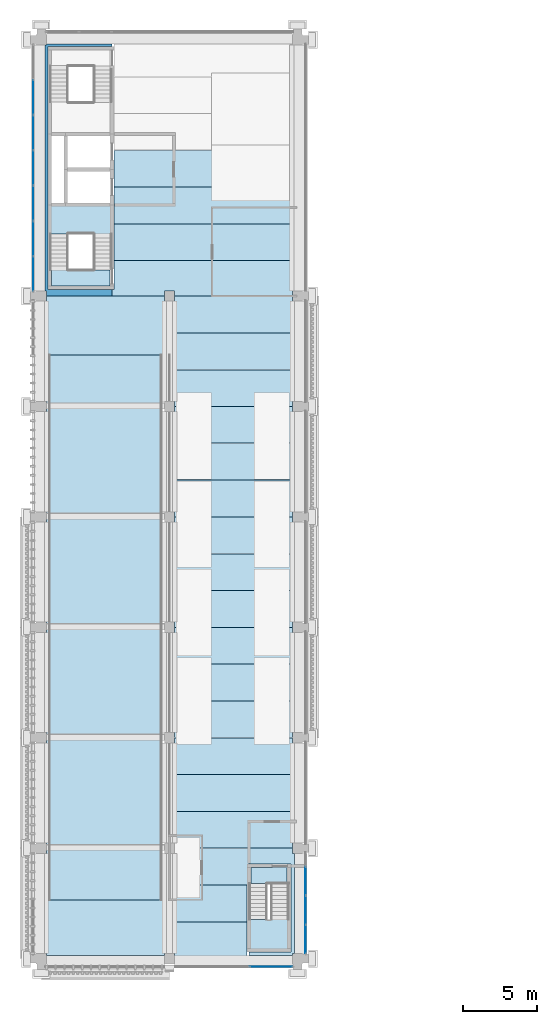
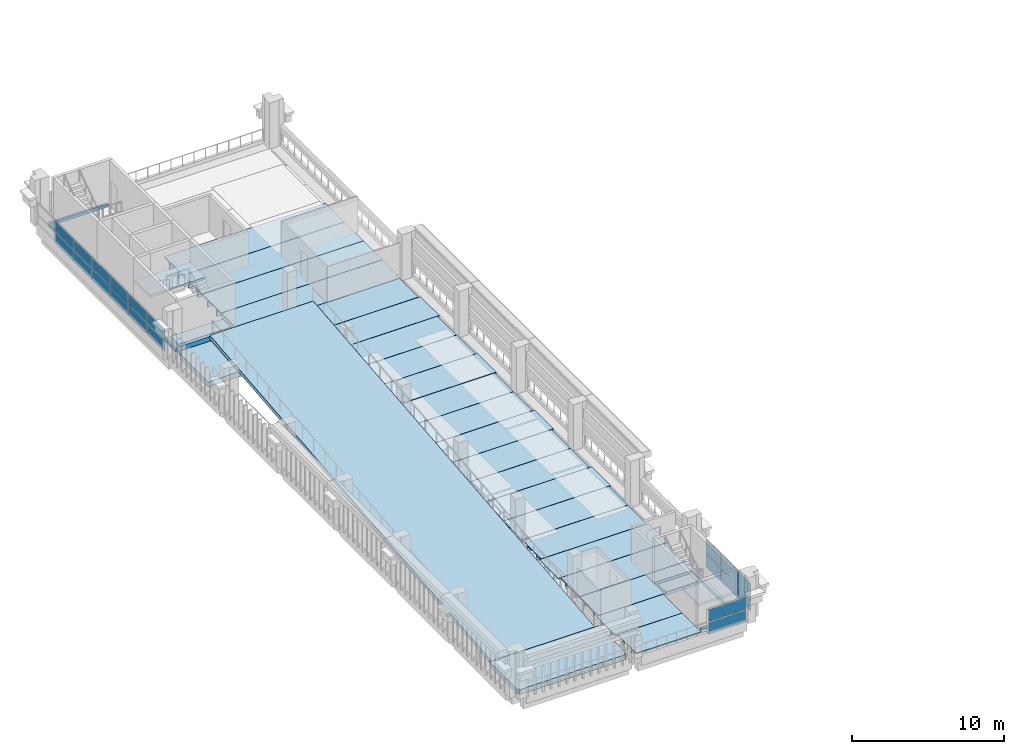
# One storey, part 6 of 25: 31 slabs, 20 plates, 5 elements without a shape of their own.
"""IFC4 building model written with IfcOpenShell, lengths in metres."""

from ifc_helpers import new_model, si_unit, direction, frame, origin, origin_2d, place, context, subcontext, project, spatial, polyline, rectangle, outline, extrude, material, layer, layer_set, material_profile, profile_set, type_object, element, aggregate, save


model = new_model("IFC4")

# Units and contexts
model_context = context("Model", 3, precision=1e-05, world=origin(), true_north=direction((0.0, 1.0)))
body_context = subcontext(model_context, "Body", "Model", "MODEL_VIEW")
ifc_project = project(units=[si_unit("LENGTHUNIT", "METRE"), si_unit("AREAUNIT", "SQUARE_METRE"), si_unit("VOLUMEUNIT", "CUBIC_METRE"), si_unit("PLANEANGLEUNIT", "RADIAN"), si_unit("MASSUNIT", "GRAM", prefix="KILO")], contexts=[model_context])

# Site, building, storey
site_placement = place(None, origin())
site = spatial("IfcSite", under=ifc_project, at=site_placement, CompositionType="ELEMENT")
building_placement = place(site_placement, origin())
building = spatial("IfcBuilding", under=site, at=building_placement, Name="Cour d'Honneur Mobility Palace", CompositionType="ELEMENT")
storey_placement = place(building_placement, frame((0.0, 0.0, 30.39990234375)))
storey = spatial("IfcBuildingStorey", under=building, at=storey_placement, Name="L08", CompositionType="ELEMENT", Elevation=30.39990234375)

# Slabs
ifc_material_1 = material(Name="Concrete C50", Category="concrete")
ifc_layer_1 = layer(ifc_material_1, 0.25)
ifc_layer_set_1 = layer_set([ifc_layer_1], Name="Concrete C50")
slab_type_1 = type_object("IfcSlabType", Name="Cast-in-place Slab 250", PredefinedType="FLOOR", material=ifc_layer_set_1)
slab_1_placement = place(storey_placement, frame((0.0, 0.0, -0.25)))
element("IfcSlab", 1, at=slab_1_placement, inside=storey, type_object=slab_type_1, Name="Cast-in-place slab S1 L08 core", PredefinedType="FLOOR", context=body_context, shape_type="SweptSolid", body=[
    extrude(outline(polyline([(0.35009765625, 45.35009765625), (0.25, 45.35009765625), (0.25, 62.050048828125), (0.35009765625, 62.050048828125), (0.35009765625, 62.125), (4.800048828125, 62.125), (4.800048828125, 61.949951171875), (0.449951171875, 61.949951171875), (0.449951171875, 45.449951171875), (4.800048828125, 45.449951171875), (4.800048828125, 45.0), (0.35009765625, 45.0), (0.35009765625, 45.35009765625)])), origin(), (0.0, 0.0, 1.0), 0.25),
])
slab_2_placement = place(storey_placement, frame((0.0, 0.0, -0.25)))
element("IfcSlab", 2, at=slab_2_placement, inside=storey, type_object=slab_type_1, Name="Cast-in-place slab S1 L08 core", PredefinedType="FLOOR", context=body_context, shape_type="SweptSolid", body=[
    extrude(outline(polyline([(0.699951171875, 45.699951171875), (0.699951171875, 46.77490234375), (4.675048828125, 46.77490234375), (4.675048828125, 45.699951171875), (0.699951171875, 45.699951171875)])), origin(), (0.0, 0.0, 1.0), 0.25),
])
slab_3_placement = place(storey_placement, frame((0.0, 0.0, -0.25)))
element("IfcSlab", 3, at=slab_3_placement, inside=storey, type_object=slab_type_1, Name="Cast-in-place slab S1 L08 stair strip", PredefinedType="FLOOR", context=body_context, shape_type="SweptSolid", body=[
    extrude(outline(polyline([(17.050048828125, 7.14990234375), (17.199951171875, 7.14990234375), (17.199951171875, 0.35009765625), (17.050048828125, 0.35009765625), (17.050048828125, 0.22509765625), (14.10009765625, 0.22509765625), (14.10009765625, 0.449951171875), (16.949951171875, 0.449951171875), (16.949951171875, 6.425048828125), (14.10009765625, 6.425048828125), (14.10009765625, 7.5), (17.050048828125, 7.5), (17.050048828125, 7.14990234375)])), origin(), (0.0, 0.0, 1.0), 0.25),
])
slab_4_placement = place(storey_placement, frame((0.0, 0.0, -0.25)))
element("IfcSlab", 4, at=slab_4_placement, inside=storey, type_object=slab_type_1, Name="Cast-in-place slab S1 L08 stair strip", PredefinedType="FLOOR", context=body_context, shape_type="SweptSolid", body=[
    extrude(outline(polyline([(16.699951171875, 6.175048828125), (16.699951171875, 5.10009765625), (14.22509765625, 5.10009765625), (14.22509765625, 6.175048828125), (16.699951171875, 6.175048828125)])), origin(), (0.0, 0.0, 1.0), 0.25),
])
ifc_material_2 = material(Name="Concrete C50", Category="concrete")
ifc_layer_2 = layer(ifc_material_2, 0.39990234375)
ifc_layer_set_2 = layer_set([ifc_layer_2], Name="Concrete C50")
slab_type_2 = type_object("IfcSlabType", Name="Cast-in-place Slab 400", PredefinedType="LANDING", material=ifc_layer_set_2)
slab_5_placement = place(storey_placement, frame((0.0, 0.0, -0.39990234375)))
element("IfcSlab", 5, at=slab_5_placement, inside=storey, type_object=slab_type_2, Name="Cast-in-place slab S3 L08 landing", PredefinedType="LANDING", context=body_context, shape_type="SweptSolid", body=[
    extrude(outline(polyline([(8.35009765625, 0.35009765625), (8.35009765625, 0.22509765625), (0.35009765625, 0.22509765625), (0.35009765625, 0.35009765625), (0.199951171875, 0.35009765625), (0.199951171875, 4.0), (8.5, 4.0), (8.5, 0.35009765625), (8.35009765625, 0.35009765625)])), origin(), (0.0, 0.0, 1.0), 0.39990234375),
])
slab_6_placement = place(storey_placement, frame((0.0, 0.0, -0.39990234375)))
element("IfcSlab", 6, at=slab_6_placement, inside=storey, type_object=slab_type_2, Name="Cast-in-place slab S3 L08 landing", PredefinedType="LANDING", context=body_context, shape_type="SweptSolid", body=[
    extrude(outline(polyline([(8.5, 44.64990234375), (8.5, 41.0), (0.199951171875, 41.0), (0.199951171875, 44.64990234375), (0.35009765625, 44.64990234375), (0.35009765625, 45.0), (8.35009765625, 45.0), (8.35009765625, 44.64990234375), (8.5, 44.64990234375)])), origin(), (0.0, 0.0, 1.0), 0.39990234375),
])
ifc_material_3 = material(Name="Concrete C50", Category="concrete")
ifc_layer_3 = layer(ifc_material_3, 0.800048828125)
ifc_layer_set_3 = layer_set([ifc_layer_3], Name="Concrete C50")
slab_type_3 = type_object("IfcSlabType", Name="Cast-in-place Slab 800", PredefinedType="FLOOR", material=ifc_layer_set_3)
slab_7_placement = place(storey_placement, frame((0.0, 0.0, -0.7998046875)))
element("IfcSlab", 7, at=slab_7_placement, inside=storey, type_object=slab_type_3, Name="Cast-in-place slab S2 L08 closure", PredefinedType="FLOOR", context=body_context, shape_type="SweptSolid", body=[
    extrude(outline(polyline([(17.050048828125, 45.35009765625), (17.050048828125, 45.0), (9.050048828125, 45.0), (9.050048828125, 45.35009765625), (8.35009765625, 45.35009765625), (8.35009765625, 45.0), (4.800048828125, 45.0), (4.800048828125, 45.449951171875), (4.925048828125, 45.449951171875), (4.925048828125, 47.39990234375), (17.14990234375, 47.39990234375), (17.14990234375, 45.35009765625), (17.050048828125, 45.35009765625)])), origin(), (0.0, 0.0, 1.0), 0.7998046875),
])

# Curtain wall, plates
ifc_material_4 = material(Name="Aluminium and glass", Category="aluminium")
ifc_layer_4 = layer(ifc_material_4, 0.10009765625)
ifc_layer_set_4 = layer_set([ifc_layer_4], Name="Aluminium and glass")
curtain_wall_type = type_object("IfcCurtainWallType", Name="Curtain wall run", PredefinedType="NOTDEFINED", material=ifc_layer_set_4)
curtain_wall_1_placement = place(storey_placement, origin())
curtain_wall_1 = element("IfcCurtainWall", 8, at=curtain_wall_1_placement, inside=storey, type_object=curtain_wall_type, Name="Curtain wall CW-111", PredefinedType="NOTDEFINED")
ifc_material_5 = material(Name="Double glazing", Category="glass")
ifc_layer_5 = layer(ifc_material_5, 0.028076171875)
ifc_layer_set_5 = layer_set([ifc_layer_5], Name="Double glazing")
plate_type = type_object("IfcPlateType", Name="Curtain wall panel", PredefinedType="CURTAIN_PANEL", material=ifc_layer_set_5)
plate_1_placement = place(storey_placement, frame((-0.550048828125, 58.5, 0.06005859375), z_axis=(0.0, 0.0, 1.0), x_axis=(0.0, -1.0, 0.0)))
plate_1 = element("IfcPlate", 9, at=plate_1_placement, type_object=plate_type, Name="CW-111 panel 2.1", PredefinedType="CURTAIN_PANEL", context=body_context, shape_type="SweptSolid", body=[
    extrude(rectangle(XDim=2.340087890625, YDim=0.028076171875, at=origin_2d()), origin(), (0.0, 0.0, 1.0), 0.860107421875),
])
plate_2_placement = place(storey_placement, frame((-0.550048828125, 58.5, 0.97998046875), z_axis=(0.0, 0.0, 1.0), x_axis=(0.0, -1.0, 0.0)))
plate_2 = element("IfcPlate", 10, at=plate_2_placement, type_object=plate_type, Name="CW-111 panel 2.2", PredefinedType="CURTAIN_PANEL", context=body_context, shape_type="SweptSolid", body=[
    extrude(rectangle(XDim=2.340087890625, YDim=0.028076171875, at=origin_2d()), origin(), (0.0, 0.0, 1.0), 0.860107421875),
])
plate_3_placement = place(storey_placement, frame((-0.550048828125, 56.10009765625, 0.06005859375), z_axis=(0.0, 0.0, 1.0), x_axis=(0.0, -1.0, 0.0)))
plate_3 = element("IfcPlate", 11, at=plate_3_placement, type_object=plate_type, Name="CW-111 panel 3.1", PredefinedType="CURTAIN_PANEL", context=body_context, shape_type="SweptSolid", body=[
    extrude(rectangle(XDim=2.340087890625, YDim=0.028076171875, at=origin_2d()), origin(), (0.0, 0.0, 1.0), 0.860107421875),
])
plate_4_placement = place(storey_placement, frame((-0.550048828125, 56.10009765625, 0.97998046875), z_axis=(0.0, 0.0, 1.0), x_axis=(0.0, -1.0, 0.0)))
plate_4 = element("IfcPlate", 12, at=plate_4_placement, type_object=plate_type, Name="CW-111 panel 3.2", PredefinedType="CURTAIN_PANEL", context=body_context, shape_type="SweptSolid", body=[
    extrude(rectangle(XDim=2.340087890625, YDim=0.028076171875, at=origin_2d()), origin(), (0.0, 0.0, 1.0), 0.860107421875),
])
plate_5_placement = place(storey_placement, frame((-0.550048828125, 53.699951171875, 0.06005859375), z_axis=(0.0, 0.0, 1.0), x_axis=(0.0, -1.0, 0.0)))
plate_5 = element("IfcPlate", 13, at=plate_5_placement, type_object=plate_type, Name="CW-111 panel 4.1", PredefinedType="CURTAIN_PANEL", context=body_context, shape_type="SweptSolid", body=[
    extrude(rectangle(XDim=2.340087890625, YDim=0.028076171875, at=origin_2d()), origin(), (0.0, 0.0, 1.0), 0.860107421875),
])
plate_6_placement = place(storey_placement, frame((-0.550048828125, 53.699951171875, 0.97998046875), z_axis=(0.0, 0.0, 1.0), x_axis=(0.0, -1.0, 0.0)))
plate_6 = element("IfcPlate", 14, at=plate_6_placement, type_object=plate_type, Name="CW-111 panel 4.2", PredefinedType="CURTAIN_PANEL", context=body_context, shape_type="SweptSolid", body=[
    extrude(rectangle(XDim=2.340087890625, YDim=0.028076171875, at=origin_2d()), origin(), (0.0, 0.0, 1.0), 0.860107421875),
])
plate_7_placement = place(storey_placement, frame((-0.550048828125, 51.300048828125, 0.06005859375), z_axis=(0.0, 0.0, 1.0), x_axis=(0.0, -1.0, 0.0)))
plate_7 = element("IfcPlate", 15, at=plate_7_placement, type_object=plate_type, Name="CW-111 panel 5.1", PredefinedType="CURTAIN_PANEL", context=body_context, shape_type="SweptSolid", body=[
    extrude(rectangle(XDim=2.340087890625, YDim=0.028076171875, at=origin_2d()), origin(), (0.0, 0.0, 1.0), 0.860107421875),
])
plate_8_placement = place(storey_placement, frame((-0.550048828125, 51.300048828125, 0.97998046875), z_axis=(0.0, 0.0, 1.0), x_axis=(0.0, -1.0, 0.0)))
plate_8 = element("IfcPlate", 16, at=plate_8_placement, type_object=plate_type, Name="CW-111 panel 5.2", PredefinedType="CURTAIN_PANEL", context=body_context, shape_type="SweptSolid", body=[
    extrude(rectangle(XDim=2.340087890625, YDim=0.028076171875, at=origin_2d()), origin(), (0.0, 0.0, 1.0), 0.860107421875),
])
plate_9_placement = place(storey_placement, frame((-0.550048828125, 48.89990234375, 0.06005859375), z_axis=(0.0, 0.0, 1.0), x_axis=(0.0, -1.0, 0.0)))
plate_9 = element("IfcPlate", 17, at=plate_9_placement, type_object=plate_type, Name="CW-111 panel 6.1", PredefinedType="CURTAIN_PANEL", context=body_context, shape_type="SweptSolid", body=[
    extrude(rectangle(XDim=2.340087890625, YDim=0.028076171875, at=origin_2d()), origin(), (0.0, 0.0, 1.0), 0.860107421875),
])
plate_10_placement = place(storey_placement, frame((-0.550048828125, 48.89990234375, 0.97998046875), z_axis=(0.0, 0.0, 1.0), x_axis=(0.0, -1.0, 0.0)))
plate_10 = element("IfcPlate", 18, at=plate_10_placement, type_object=plate_type, Name="CW-111 panel 6.2", PredefinedType="CURTAIN_PANEL", context=body_context, shape_type="SweptSolid", body=[
    extrude(rectangle(XDim=2.340087890625, YDim=0.028076171875, at=origin_2d()), origin(), (0.0, 0.0, 1.0), 0.860107421875),
])
plate_11_placement = place(storey_placement, frame((-0.550048828125, 46.514892578125, 0.06005859375), z_axis=(0.0, 0.0, 1.0), x_axis=(0.0, -1.0, 0.0)))
plate_11 = element("IfcPlate", 19, at=plate_11_placement, type_object=plate_type, Name="CW-111 panel 7.1", PredefinedType="CURTAIN_PANEL", context=body_context, shape_type="SweptSolid", body=[
    extrude(rectangle(XDim=2.31005859375, YDim=0.028076171875, at=origin_2d()), origin(), (0.0, 0.0, 1.0), 0.860107421875),
])
plate_12_placement = place(storey_placement, frame((-0.550048828125, 46.514892578125, 0.97998046875), z_axis=(0.0, 0.0, 1.0), x_axis=(0.0, -1.0, 0.0)))
plate_12 = element("IfcPlate", 20, at=plate_12_placement, type_object=plate_type, Name="CW-111 panel 7.2", PredefinedType="CURTAIN_PANEL", context=body_context, shape_type="SweptSolid", body=[
    extrude(rectangle(XDim=2.31005859375, YDim=0.028076171875, at=origin_2d()), origin(), (0.0, 0.0, 1.0), 0.860107421875),
])
aggregate(curtain_wall_1, [plate_1, plate_2, plate_3, plate_4, plate_5, plate_6, plate_7, plate_8, plate_9, plate_10, plate_11, plate_12])

curtain_wall_2_placement = place(storey_placement, origin())
curtain_wall_2 = element("IfcCurtainWall", 21, at=curtain_wall_2_placement, inside=storey, type_object=curtain_wall_type, Name="Curtain wall CW-167", PredefinedType="NOTDEFINED")
plate_13_placement = place(storey_placement, frame((15.60009765625, -0.550048828125, 0.06005859375), z_axis=(0.0, 0.0, 1.0), x_axis=(1.0, 0.0, 0.0)))
plate_13 = element("IfcPlate", 22, at=plate_13_placement, type_object=plate_type, Name="CW-167 panel 1.1", PredefinedType="CURTAIN_PANEL", context=body_context, shape_type="SweptSolid", body=[
    extrude(rectangle(XDim=2.8798828125, YDim=0.028076171875, at=origin_2d()), origin(), (0.0, 0.0, 1.0), 0.9599609375),
])
plate_14_placement = place(storey_placement, frame((15.60009765625, -0.550048828125, 1.080078125), z_axis=(0.0, 0.0, 1.0), x_axis=(1.0, 0.0, 0.0)))
plate_14 = element("IfcPlate", 23, at=plate_14_placement, type_object=plate_type, Name="CW-167 panel 1.2", PredefinedType="CURTAIN_PANEL", context=body_context, shape_type="SweptSolid", body=[
    extrude(rectangle(XDim=2.8798828125, YDim=0.028076171875, at=origin_2d()), origin(), (0.0, 0.0, 1.0), 0.9599609375),
])
aggregate(curtain_wall_2, [plate_13, plate_14])

curtain_wall_3_placement = place(storey_placement, origin())
curtain_wall_3 = element("IfcCurtainWall", 24, at=curtain_wall_3_placement, inside=storey, type_object=curtain_wall_type, Name="Curtain wall CW-168", PredefinedType="NOTDEFINED")
plate_15_placement = place(storey_placement, frame((17.949951171875, 1.31494140625, 0.06005859375), z_axis=(0.0, 0.0, 1.0), x_axis=(0.0, 1.0, 0.0)))
plate_15 = element("IfcPlate", 25, at=plate_15_placement, type_object=plate_type, Name="CW-168 panel 1.1", PredefinedType="CURTAIN_PANEL", context=body_context, shape_type="SweptSolid", body=[
    extrude(rectangle(XDim=1.909912109375, YDim=0.028076171875, at=origin_2d()), origin(), (0.0, 0.0, 1.0), 1.06005859375),
])
plate_16_placement = place(storey_placement, frame((17.949951171875, 1.31494140625, 1.18017578125), z_axis=(0.0, 0.0, 1.0), x_axis=(0.0, 1.0, 0.0)))
plate_16 = element("IfcPlate", 26, at=plate_16_placement, type_object=plate_type, Name="CW-168 panel 1.2", PredefinedType="CURTAIN_PANEL", context=body_context, shape_type="SweptSolid", body=[
    extrude(rectangle(XDim=1.909912109375, YDim=0.028076171875, at=origin_2d()), origin(), (0.0, 0.0, 1.0), 1.06005859375),
])
plate_17_placement = place(storey_placement, frame((17.949951171875, 3.300048828125, 0.06005859375), z_axis=(0.0, 0.0, 1.0), x_axis=(0.0, 1.0, 0.0)))
plate_17 = element("IfcPlate", 27, at=plate_17_placement, type_object=plate_type, Name="CW-168 panel 2.1", PredefinedType="CURTAIN_PANEL", context=body_context, shape_type="SweptSolid", body=[
    extrude(rectangle(XDim=1.93994140625, YDim=0.028076171875, at=origin_2d()), origin(), (0.0, 0.0, 1.0), 1.06005859375),
])
plate_18_placement = place(storey_placement, frame((17.949951171875, 3.300048828125, 1.18017578125), z_axis=(0.0, 0.0, 1.0), x_axis=(0.0, 1.0, 0.0)))
plate_18 = element("IfcPlate", 28, at=plate_18_placement, type_object=plate_type, Name="CW-168 panel 2.2", PredefinedType="CURTAIN_PANEL", context=body_context, shape_type="SweptSolid", body=[
    extrude(rectangle(XDim=1.93994140625, YDim=0.028076171875, at=origin_2d()), origin(), (0.0, 0.0, 1.0), 1.06005859375),
])
plate_19_placement = place(storey_placement, frame((17.949951171875, 5.284912109375, 0.06005859375), z_axis=(0.0, 0.0, 1.0), x_axis=(0.0, 1.0, 0.0)))
plate_19 = element("IfcPlate", 29, at=plate_19_placement, type_object=plate_type, Name="CW-168 panel 3.1", PredefinedType="CURTAIN_PANEL", context=body_context, shape_type="SweptSolid", body=[
    extrude(rectangle(XDim=1.909912109375, YDim=0.028076171875, at=origin_2d()), origin(), (0.0, 0.0, 1.0), 1.06005859375),
])
plate_20_placement = place(storey_placement, frame((17.949951171875, 5.284912109375, 1.18017578125), z_axis=(0.0, 0.0, 1.0), x_axis=(0.0, 1.0, 0.0)))
plate_20 = element("IfcPlate", 30, at=plate_20_placement, type_object=plate_type, Name="CW-168 panel 3.2", PredefinedType="CURTAIN_PANEL", context=body_context, shape_type="SweptSolid", body=[
    extrude(rectangle(XDim=1.909912109375, YDim=0.028076171875, at=origin_2d()), origin(), (0.0, 0.0, 1.0), 1.06005859375),
])
aggregate(curtain_wall_3, [plate_15, plate_16, plate_17, plate_18, plate_19, plate_20])

# Slabs
ifc_material_6 = material(Name="Concrete C45", Category="concrete")
ifc_material_profile_1 = material_profile(ifc_material_6, outline(polyline([(-1.2451171875, 0.0), (1.2451171875, 0.0), (1.2451171875, -0.074951171875), (0.659912109375, -0.074951171875), (0.639892578125, -0.39990234375), (0.56005859375, -0.39990234375), (0.5400390625, -0.074951171875), (-0.5400390625, -0.074951171875), (-0.56005859375, -0.39990234375), (-0.639892578125, -0.39990234375), (-0.659912109375, -0.074951171875), (-1.2451171875, -0.074951171875), (-1.2451171875, 0.0)])), Name="DT 2490x400")
ifc_profile_set_1 = profile_set([ifc_material_profile_1], Name="Concrete C45")
slab_type_4 = type_object("IfcSlabType", Name="DT 2490x400", PredefinedType="FLOOR", material=ifc_profile_set_1)
slab_8_placement = place(storey_placement, frame((9.050048828125, 1.25, 0.0), z_axis=(1.0, 0.0, 0.0), x_axis=(0.0, 1.0, 0.0)))
element("IfcSlab", 31, at=slab_8_placement, inside=storey, type_object=slab_type_4, Name="Double tee DT-SW1 L08", PredefinedType="FLOOR", context=body_context, shape_type="SweptSolid", body=[
    extrude(outline(polyline([(-1.2451171875, 0.0), (1.2451171875, 0.0), (1.2451171875, -0.074951171875), (0.659912109375, -0.074951171875), (0.639892578125, -0.39990234375), (0.56005859375, -0.39990234375), (0.5400390625, -0.074951171875), (-0.5400390625, -0.074951171875), (-0.56005859375, -0.39990234375), (-0.639892578125, -0.39990234375), (-0.659912109375, -0.074951171875), (-1.2451171875, -0.074951171875), (-1.2451171875, 0.0)])), origin(), (0.0, 0.0, 1.0), 4.925048828125),
])
slab_9_placement = place(storey_placement, frame((8.89990234375, 3.75, 0.0), z_axis=(1.0, 0.0, 0.0), x_axis=(0.0, 1.0, 0.0)))
element("IfcSlab", 32, at=slab_9_placement, inside=storey, type_object=slab_type_4, Name="Double tee DT-SW2 L08", PredefinedType="FLOOR", context=body_context, shape_type="SweptSolid", body=[
    extrude(outline(polyline([(-1.2451171875, 0.0), (1.2451171875, 0.0), (1.2451171875, -0.074951171875), (0.659912109375, -0.074951171875), (0.639892578125, -0.39990234375), (0.56005859375, -0.39990234375), (0.5400390625, -0.074951171875), (-0.5400390625, -0.074951171875), (-0.56005859375, -0.39990234375), (-0.639892578125, -0.39990234375), (-0.659912109375, -0.074951171875), (-1.2451171875, -0.074951171875), (-1.2451171875, 0.0)])), origin(), (0.0, 0.0, 1.0), 5.0751953125),
])
slab_10_placement = place(storey_placement, frame((9.050048828125, 6.25, 0.0), z_axis=(1.0, 0.0, 0.0), x_axis=(0.0, 1.0, 0.0)))
element("IfcSlab", 33, at=slab_10_placement, inside=storey, type_object=slab_type_4, Name="Double tee DT-SW3 L08", PredefinedType="FLOOR", context=body_context, shape_type="SweptSolid", body=[
    extrude(outline(polyline([(-1.2451171875, 0.0), (1.2451171875, 0.0), (1.2451171875, -0.074951171875), (0.659912109375, -0.074951171875), (0.639892578125, -0.39990234375), (0.56005859375, -0.39990234375), (0.5400390625, -0.074951171875), (-0.5400390625, -0.074951171875), (-0.56005859375, -0.39990234375), (-0.639892578125, -0.39990234375), (-0.659912109375, -0.074951171875), (-1.2451171875, -0.074951171875), (-1.2451171875, 0.0)])), origin(), (0.0, 0.0, 1.0), 5.050048828125),
])
ifc_material_7 = material(Name="Concrete C45", Category="concrete")
ifc_material_profile_2 = material_profile(ifc_material_7, outline(polyline([(-1.2451171875, 0.0), (1.2451171875, 0.0), (1.2451171875, -0.10009765625), (0.669921875, -0.10009765625), (0.64501953125, -0.5), (0.554931640625, -0.5), (0.530029296875, -0.10009765625), (-0.530029296875, -0.10009765625), (-0.554931640625, -0.5), (-0.64501953125, -0.5), (-0.669921875, -0.10009765625), (-1.2451171875, -0.10009765625), (-1.2451171875, 0.0)])), Name="DT 2490x500")
ifc_profile_set_2 = profile_set([ifc_material_profile_2], Name="Concrete C45")
slab_type_5 = type_object("IfcSlabType", Name="DT 2490x500", PredefinedType="FLOOR", material=ifc_profile_set_2)
slab_11_placement = place(storey_placement, frame((9.050048828125, 8.75, 0.0), z_axis=(1.0, 0.0, 0.0), x_axis=(0.0, 1.0, 0.0)))
element("IfcSlab", 34, at=slab_11_placement, inside=storey, type_object=slab_type_5, Name="Double tee DT-SW4 L08", PredefinedType="FLOOR", context=body_context, shape_type="SweptSolid", body=[
    extrude(outline(polyline([(-1.2451171875, 0.0), (1.2451171875, 0.0), (1.2451171875, -0.10009765625), (0.669921875, -0.10009765625), (0.64501953125, -0.5), (0.554931640625, -0.5), (0.530029296875, -0.10009765625), (-0.530029296875, -0.10009765625), (-0.554931640625, -0.5), (-0.64501953125, -0.5), (-0.669921875, -0.10009765625), (-1.2451171875, -0.10009765625), (-1.2451171875, 0.0)])), origin(), (0.0, 0.0, 1.0), 8.0),
])
slab_12_placement = place(storey_placement, frame((8.89990234375, 11.25, 0.0), z_axis=(1.0, 0.0, 0.0), x_axis=(0.0, 1.0, 0.0)))
element("IfcSlab", 35, at=slab_12_placement, inside=storey, type_object=slab_type_5, Name="Double tee DT-SW5 L08", PredefinedType="FLOOR", context=body_context, shape_type="SweptSolid", body=[
    extrude(outline(polyline([(-1.2451171875, 0.0), (1.2451171875, 0.0), (1.2451171875, -0.10009765625), (0.669921875, -0.10009765625), (0.64501953125, -0.5), (0.554931640625, -0.5), (0.530029296875, -0.10009765625), (-0.530029296875, -0.10009765625), (-0.554931640625, -0.5), (-0.64501953125, -0.5), (-0.669921875, -0.10009765625), (-1.2451171875, -0.10009765625), (-1.2451171875, 0.0)])), origin(), (0.0, 0.0, 1.0), 8.300048828125),
])
for number, where, z_axis, x_axis, name in (
    (36, (9.050048828125, 13.75, 0.0), (1.0, 0.0, 0.0), (0.0, 1.0, 0.0), "Double tee DT-SW6 L08"),
    (37, (9.050048828125, 16.25, 0.0), (1.0, 0.0, 0.0), (0.0, 1.0, 0.0), "Double tee DT-SW7 L08"),
):
    element("IfcSlab", number, at=place(storey_placement, frame(where, z_axis=z_axis, x_axis=x_axis)), inside=storey, type_object=slab_type_5, Name=name, PredefinedType="FLOOR", context=body_context, shape_type="SweptSolid", body=[
        extrude(outline(polyline([(-1.2451171875, 0.0), (1.2451171875, 0.0), (1.2451171875, -0.10009765625), (0.669921875, -0.10009765625), (0.64501953125, -0.5), (0.554931640625, -0.5), (0.530029296875, -0.10009765625), (-0.530029296875, -0.10009765625), (-0.554931640625, -0.5), (-0.64501953125, -0.5), (-0.669921875, -0.10009765625), (-1.2451171875, -0.10009765625), (-1.2451171875, 0.0)])), origin(), (0.0, 0.0, 1.0), 8.0),
    ])
slab_13_placement = place(storey_placement, frame((8.89990234375, 18.75, 0.0), z_axis=(1.0, 0.0, 0.0), x_axis=(0.0, 1.0, 0.0)))
element("IfcSlab", 38, at=slab_13_placement, inside=storey, type_object=slab_type_5, Name="Double tee DT-SW8 L08", PredefinedType="FLOOR", context=body_context, shape_type="SweptSolid", body=[
    extrude(outline(polyline([(-1.2451171875, 0.0), (1.2451171875, 0.0), (1.2451171875, -0.10009765625), (0.669921875, -0.10009765625), (0.64501953125, -0.5), (0.554931640625, -0.5), (0.530029296875, -0.10009765625), (-0.530029296875, -0.10009765625), (-0.554931640625, -0.5), (-0.64501953125, -0.5), (-0.669921875, -0.10009765625), (-1.2451171875, -0.10009765625), (-1.2451171875, 0.0)])), origin(), (0.0, 0.0, 1.0), 8.300048828125),
])
for number, where, z_axis, x_axis, name in (
    (39, (9.050048828125, 21.25, 0.0), (1.0, 0.0, 0.0), (0.0, 1.0, 0.0), "Double tee DT-SW9 L08"),
    (40, (9.050048828125, 23.75, 0.0), (1.0, 0.0, 0.0), (0.0, 1.0, 0.0), "Double tee DT-SW10 L08"),
):
    element("IfcSlab", number, at=place(storey_placement, frame(where, z_axis=z_axis, x_axis=x_axis)), inside=storey, type_object=slab_type_5, Name=name, PredefinedType="FLOOR", context=body_context, shape_type="SweptSolid", body=[
        extrude(outline(polyline([(-1.2451171875, 0.0), (1.2451171875, 0.0), (1.2451171875, -0.10009765625), (0.669921875, -0.10009765625), (0.64501953125, -0.5), (0.554931640625, -0.5), (0.530029296875, -0.10009765625), (-0.530029296875, -0.10009765625), (-0.554931640625, -0.5), (-0.64501953125, -0.5), (-0.669921875, -0.10009765625), (-1.2451171875, -0.10009765625), (-1.2451171875, 0.0)])), origin(), (0.0, 0.0, 1.0), 8.0),
    ])
slab_14_placement = place(storey_placement, frame((8.89990234375, 26.25, 0.0), z_axis=(1.0, 0.0, 0.0), x_axis=(0.0, 1.0, 0.0)))
element("IfcSlab", 41, at=slab_14_placement, inside=storey, type_object=slab_type_5, Name="Double tee DT-SW11 L08", PredefinedType="FLOOR", context=body_context, shape_type="SweptSolid", body=[
    extrude(outline(polyline([(-1.2451171875, 0.0), (1.2451171875, 0.0), (1.2451171875, -0.10009765625), (0.669921875, -0.10009765625), (0.64501953125, -0.5), (0.554931640625, -0.5), (0.530029296875, -0.10009765625), (-0.530029296875, -0.10009765625), (-0.554931640625, -0.5), (-0.64501953125, -0.5), (-0.669921875, -0.10009765625), (-1.2451171875, -0.10009765625), (-1.2451171875, 0.0)])), origin(), (0.0, 0.0, 1.0), 8.300048828125),
])
for number, where, z_axis, x_axis, name in (
    (42, (9.050048828125, 28.75, 0.0), (1.0, 0.0, 0.0), (0.0, 1.0, 0.0), "Double tee DT-SW12 L08"),
    (43, (9.050048828125, 31.25, 0.0), (1.0, 0.0, 0.0), (0.0, 1.0, 0.0), "Double tee DT-SW13 L08"),
):
    element("IfcSlab", number, at=place(storey_placement, frame(where, z_axis=z_axis, x_axis=x_axis)), inside=storey, type_object=slab_type_5, Name=name, PredefinedType="FLOOR", context=body_context, shape_type="SweptSolid", body=[
        extrude(outline(polyline([(-1.2451171875, 0.0), (1.2451171875, 0.0), (1.2451171875, -0.10009765625), (0.669921875, -0.10009765625), (0.64501953125, -0.5), (0.554931640625, -0.5), (0.530029296875, -0.10009765625), (-0.530029296875, -0.10009765625), (-0.554931640625, -0.5), (-0.64501953125, -0.5), (-0.669921875, -0.10009765625), (-1.2451171875, -0.10009765625), (-1.2451171875, 0.0)])), origin(), (0.0, 0.0, 1.0), 8.0),
    ])
slab_15_placement = place(storey_placement, frame((8.89990234375, 33.75, 0.0), z_axis=(1.0, 0.0, 0.0), x_axis=(0.0, 1.0, 0.0)))
element("IfcSlab", 44, at=slab_15_placement, inside=storey, type_object=slab_type_5, Name="Double tee DT-SW14 L08", PredefinedType="FLOOR", context=body_context, shape_type="SweptSolid", body=[
    extrude(outline(polyline([(-1.2451171875, 0.0), (1.2451171875, 0.0), (1.2451171875, -0.10009765625), (0.669921875, -0.10009765625), (0.64501953125, -0.5), (0.554931640625, -0.5), (0.530029296875, -0.10009765625), (-0.530029296875, -0.10009765625), (-0.554931640625, -0.5), (-0.64501953125, -0.5), (-0.669921875, -0.10009765625), (-1.2451171875, -0.10009765625), (-1.2451171875, 0.0)])), origin(), (0.0, 0.0, 1.0), 8.300048828125),
])
for number, where, z_axis, x_axis, name in (
    (45, (9.050048828125, 36.25, 0.0), (1.0, 0.0, 0.0), (0.0, 1.0, 0.0), "Double tee DT-SW15 L08"),
    (46, (9.050048828125, 38.75, 0.0), (1.0, 0.0, 0.0), (0.0, 1.0, 0.0), "Double tee DT-SW16 L08"),
):
    element("IfcSlab", number, at=place(storey_placement, frame(where, z_axis=z_axis, x_axis=x_axis)), inside=storey, type_object=slab_type_5, Name=name, PredefinedType="FLOOR", context=body_context, shape_type="SweptSolid", body=[
        extrude(outline(polyline([(-1.2451171875, 0.0), (1.2451171875, 0.0), (1.2451171875, -0.10009765625), (0.669921875, -0.10009765625), (0.64501953125, -0.5), (0.554931640625, -0.5), (0.530029296875, -0.10009765625), (-0.530029296875, -0.10009765625), (-0.554931640625, -0.5), (-0.64501953125, -0.5), (-0.669921875, -0.10009765625), (-1.2451171875, -0.10009765625), (-1.2451171875, 0.0)])), origin(), (0.0, 0.0, 1.0), 8.0),
    ])
slab_16_placement = place(storey_placement, frame((8.89990234375, 41.25, 0.0), z_axis=(1.0, 0.0, 0.0), x_axis=(0.0, 1.0, 0.0)))
element("IfcSlab", 47, at=slab_16_placement, inside=storey, type_object=slab_type_5, Name="Double tee DT-SW17 L08", PredefinedType="FLOOR", context=body_context, shape_type="SweptSolid", body=[
    extrude(outline(polyline([(-1.2451171875, 0.0), (1.2451171875, 0.0), (1.2451171875, -0.10009765625), (0.669921875, -0.10009765625), (0.64501953125, -0.5), (0.554931640625, -0.5), (0.530029296875, -0.10009765625), (-0.530029296875, -0.10009765625), (-0.554931640625, -0.5), (-0.64501953125, -0.5), (-0.669921875, -0.10009765625), (-1.2451171875, -0.10009765625), (-1.2451171875, 0.0)])), origin(), (0.0, 0.0, 1.0), 8.300048828125),
])
slab_17_placement = place(storey_placement, frame((9.050048828125, 43.75, 0.0), z_axis=(1.0, 0.0, 0.0), x_axis=(0.0, 1.0, 0.0)))
element("IfcSlab", 48, at=slab_17_placement, inside=storey, type_object=slab_type_5, Name="Double tee DT-SW18 L08", PredefinedType="FLOOR", context=body_context, shape_type="SweptSolid", body=[
    extrude(outline(polyline([(-1.2451171875, 0.0), (1.2451171875, 0.0), (1.2451171875, -0.10009765625), (0.669921875, -0.10009765625), (0.64501953125, -0.5), (0.554931640625, -0.5), (0.530029296875, -0.10009765625), (-0.530029296875, -0.10009765625), (-0.554931640625, -0.5), (-0.64501953125, -0.5), (-0.669921875, -0.10009765625), (-1.2451171875, -0.10009765625), (-1.2451171875, 0.0)])), origin(), (0.0, 0.0, 1.0), 8.0),
])
ifc_material_8 = material(Name="Concrete C45", Category="concrete")
ifc_material_profile_3 = material_profile(ifc_material_8, outline(polyline([(-1.2451171875, 0.0), (1.2451171875, 0.0), (1.2451171875, -0.10009765625), (0.679931640625, -0.10009765625), (0.64990234375, -0.64990234375), (0.550048828125, -0.64990234375), (0.52001953125, -0.10009765625), (-0.52001953125, -0.10009765625), (-0.550048828125, -0.64990234375), (-0.64990234375, -0.64990234375), (-0.679931640625, -0.10009765625), (-1.2451171875, -0.10009765625), (-1.2451171875, 0.0)])), Name="DT 2490x650")
ifc_profile_set_3 = profile_set([ifc_material_profile_3], Name="Concrete C45")
slab_type_6 = type_object("IfcSlabType", Name="DT 2490x650", PredefinedType="FLOOR", material=ifc_profile_set_3)
for number, where, z_axis, x_axis, name in (
    (49, (4.925048828125, 48.64990234375, 0.0), (1.0, 0.0, 0.0), (0.0, 1.0, 0.0), "Double tee DT-JW1 L08"),
    (50, (4.925048828125, 51.14990234375, 0.0), (1.0, 0.0, 0.0), (0.0, 1.0, 0.0), "Double tee DT-JW2 L08"),
    (51, (4.925048828125, 53.64990234375, 0.0), (1.0, 0.0, 0.0), (0.0, 1.0, 0.0), "Double tee DT-JW3 L08"),
):
    element("IfcSlab", number, at=place(storey_placement, frame(where, z_axis=z_axis, x_axis=x_axis)), inside=storey, type_object=slab_type_6, Name=name, PredefinedType="FLOOR", context=body_context, shape_type="SweptSolid", body=[
        extrude(outline(polyline([(-1.2451171875, 0.0), (1.2451171875, 0.0), (1.2451171875, -0.10009765625), (0.679931640625, -0.10009765625), (0.64990234375, -0.64990234375), (0.550048828125, -0.64990234375), (0.52001953125, -0.10009765625), (-0.52001953125, -0.10009765625), (-0.550048828125, -0.64990234375), (-0.64990234375, -0.64990234375), (-0.679931640625, -0.10009765625), (-1.2451171875, -0.10009765625), (-1.2451171875, 0.0)])), origin(), (0.0, 0.0, 1.0), 12.224853515625),
    ])

# Stair, slab
ifc_material_9 = material(Name="Concrete C50", Category="concrete")
stair_type = type_object("IfcStairType", Name="Stair 20 risers", PredefinedType="HALF_TURN_STAIR", material=ifc_material_9)
stair_1_placement = place(storey_placement, origin())
stair_1 = element("IfcStair", 52, at=stair_1_placement, inside=storey, type_object=stair_type, Name="Stair ST-CW1", PredefinedType="HALF_TURN_STAIR")
ifc_material_10 = material(Name="Concrete C50", Category="concrete")
ifc_layer_6 = layer(ifc_material_10, 0.199951171875)
ifc_layer_set_6 = layer_set([ifc_layer_6], Name="Concrete C50")
slab_type_7 = type_object("IfcSlabType", Name="Stair landing", PredefinedType="LANDING", material=ifc_layer_set_6)
slab_18_placement = place(storey_placement, frame((0.0, 0.0, 1.650146484375)))
slab_18 = element("IfcSlab", 53, at=slab_18_placement, type_object=slab_type_7, Name="ST-CW1 landing 1", PredefinedType="LANDING", context=body_context, shape_type="SweptSolid", body=[
    extrude(outline(polyline([(0.574951171875, 49.205078125), (4.800048828125, 49.205078125), (4.800048828125, 51.199951171875), (0.574951171875, 51.199951171875), (0.574951171875, 49.205078125)])), origin(), (0.0, 0.0, 1.0), 0.199951171875),
])
aggregate(stair_1, [slab_18])

stair_2_placement = place(storey_placement, origin())
stair_2 = element("IfcStair", 54, at=stair_2_placement, inside=storey, type_object=stair_type, Name="Stair ST-RW1", PredefinedType="HALF_TURN_STAIR")
slab_19_placement = place(storey_placement, frame((0.0, 0.0, 1.650146484375)))
slab_19 = element("IfcSlab", 55, at=slab_19_placement, type_object=slab_type_7, Name="ST-RW1 landing 1", PredefinedType="LANDING", context=body_context, shape_type="SweptSolid", body=[
    extrude(outline(polyline([(14.10009765625, 0.574951171875), (16.824951171875, 0.574951171875), (16.824951171875, 2.669921875), (14.10009765625, 2.669921875), (14.10009765625, 0.574951171875)])), origin(), (0.0, 0.0, 1.0), 0.199951171875),
])
aggregate(stair_2, [slab_19])

# Slab
ifc_material_11 = material(Name="Concrete C45", Category="concrete")
ifc_layer_7 = layer(ifc_material_11, 0.300048828125)
ifc_layer_set_7 = layer_set([ifc_layer_7], Name="Concrete C45")
slab_type_8 = type_object("IfcSlabType", Name="Vehicle ramp slab 300", PredefinedType="USERDEFINED", material=ifc_layer_set_7)
slab_20_placement = place(storey_placement, frame((0.35009765625, 4.0, 0.0), z_axis=(0.0, -0.099508919531, 0.995036670145), x_axis=(1.0, 0.0, 0.0)))
element("IfcSlab", 56, at=slab_20_placement, inside=storey, type_object=slab_type_8, Name="Vehicle ramp West 9 slab", ObjectType="VEHICLE RAMP SLAB", PredefinedType="USERDEFINED", context=body_context, shape_type="SweptSolid", body=[
    extrude(outline(polyline([(0.0, 0.0), (7.849853515625, 0.0), (7.849853515625, 37.184559232975275), (0.0, 37.184559232975275), (0.0, 0.0)])), origin(), (0.0, 0.0, -1.0), 0.300048828125),
])

save(model, "model.ifc")
